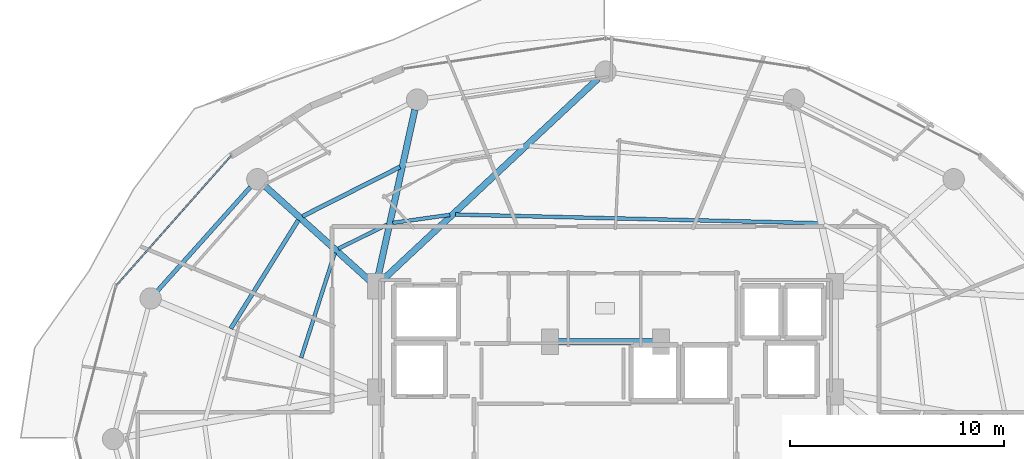
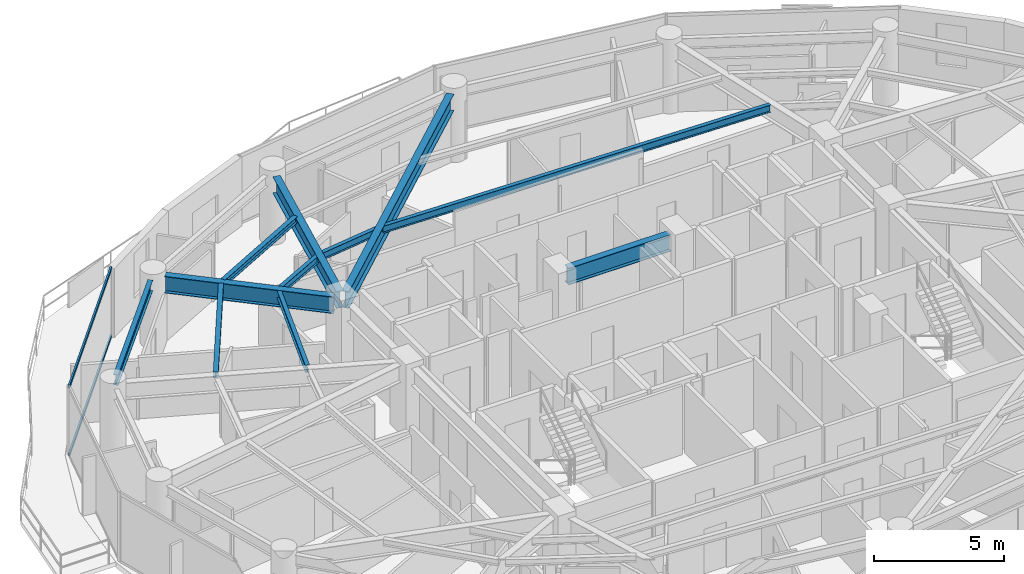
# One storey, part 10 of 29: 11 beams, 2 members, 1 element without a shape of its own.
"""IFC4 building model written with IfcOpenShell, lengths in metres."""

import ifcopenshell
import ifcopenshell.guid

model = None  # the IFC model being written
_history = None  # IfcOwnerHistory: only IFC2X3 demands one
_inside = {}  # id of a spatial element -> (the spatial element, [elements in it])
_under = {}  # id of a project, library or spatial element -> (it, [spatial elements below it])
_declared = {}  # id of a project -> (the project, [libraries it declares])
_typed = {}  # id of a type object -> (the type object, [elements of that type])
_made_of = {}  # id of a material, layer set ... -> (it, [elements and type objects made of it])


def new_model(schema):
    """Start an empty IFC model of exactly this schema.

    Asked for "IFC4X3", IfcOpenShell would pick the latest addendum, in which some entities
    have other attributes; the version numbers below select the first issue.
    IFC2X3 requires an IfcOwnerHistory on every rooted entity: one is made here for all.
    """
    global model, _history
    if schema == "IFC4X3":
        model = ifcopenshell.file(schema_version=(4, 3, 0, 0))
    else:
        model = ifcopenshell.file(schema=schema)
    _inside.clear()
    _under.clear()
    _declared.clear()
    _typed.clear()
    _made_of.clear()
    _history = None
    if model.schema == "IFC2X3":
        org = make("IfcOrganization", Name="unknown")
        user = make(
            "IfcPersonAndOrganization",
            ThePerson=make("IfcPerson", FamilyName="unknown"),
            TheOrganization=org,
        )
        app = make(
            "IfcApplication",
            ApplicationDeveloper=org,
            Version="unknown",
            ApplicationFullName="unknown",
            ApplicationIdentifier="unknown",
        )
        _history = make(
            "IfcOwnerHistory",
            OwningUser=user,
            OwningApplication=app,
            ChangeAction="ADDED",
            CreationDate=0,
        )
    return model


def make(cls, **values):
    """One entity of the class cls with the attributes given. An attribute that is None is left unset."""
    return model.create_entity(
        cls, **{name: value for name, value in values.items() if value is not None}
    )


def rooted(cls, **values):
    """An entity with a GlobalId (a new one), such as an element, a storey or a relation."""
    return make(cls, GlobalId=ifcopenshell.guid.new(), OwnerHistory=_history, **values)


def si_unit(unit_type, name, prefix=None):
    """IfcSIUnit, for example si_unit("LENGTHUNIT", "METRE", prefix="MILLI")."""
    return make("IfcSIUnit", UnitType=unit_type, Prefix=prefix, Name=name)


def assignment(units):
    """IfcUnitAssignment: the units of a project."""
    return None if units is None else make("IfcUnitAssignment", Units=units)


def point(xyz):
    """IfcCartesianPoint."""
    return None if xyz is None else make("IfcCartesianPoint", Coordinates=xyz)


def direction(xyz):
    """IfcDirection."""
    return None if xyz is None else make("IfcDirection", DirectionRatios=xyz)


def frame(location, z_axis=None, x_axis=None):
    """IfcAxis2Placement3D, a coordinate frame: its origin and axes. An axis left out is left unset."""
    return make(
        "IfcAxis2Placement3D",
        Location=point(location),
        Axis=direction(z_axis),
        RefDirection=direction(x_axis),
    )


def frame_2d(location, x_axis=None):
    """IfcAxis2Placement2D, a coordinate frame in the plane: its origin and x axis."""
    return make(
        "IfcAxis2Placement2D", Location=point(location), RefDirection=direction(x_axis)
    )


def origin():
    """The frame at (0, 0, 0) with its axes left unset."""
    return frame((0.0, 0.0, 0.0))


def origin_2d():
    """The frame at (0, 0) in the plane with its x axis left unset."""
    return frame_2d((0.0, 0.0))


def place(relative_to, where):
    """IfcLocalPlacement: puts the frame where relative to a parent placement (None: the world)."""
    return make(
        "IfcLocalPlacement", PlacementRelTo=relative_to, RelativePlacement=where
    )


def context(
    kind, dimensions, precision=None, world=None, true_north=None, identifier=None
):
    """IfcGeometricRepresentationContext, for example the 3D "Model" context."""
    return make(
        "IfcGeometricRepresentationContext",
        ContextIdentifier=identifier,
        ContextType=kind,
        CoordinateSpaceDimension=dimensions,
        Precision=precision,
        WorldCoordinateSystem=world,
        TrueNorth=true_north,
    )


def subcontext(parent, identifier, kind, view, scale=None):
    """IfcGeometricRepresentationSubContext, for example "Body" below "Model"."""
    return make(
        "IfcGeometricRepresentationSubContext",
        ContextIdentifier=identifier,
        ContextType=kind,
        ParentContext=parent,
        TargetScale=scale,
        TargetView=view,
    )


def project(units=None, contexts=None):
    """IfcProject with its units and contexts."""
    return rooted(
        "IfcProject",
        Name="project",
        RepresentationContexts=contexts,
        UnitsInContext=assignment(units),
    )


def spatial(cls, under=None, at=None, **own):
    """A site, building, storey or space (cls), placed at a placement, below another one or the project."""
    s = rooted(cls, ObjectPlacement=at, **own)
    if under is not None:
        _under.setdefault(under.id(), (under, []))[1].append(s)
    return s


def profile(cls, at=None, kind="AREA", **sizes):
    """A parametric profile (cls). Its sizes go by their IFC names, for example OverallWidth=200.0."""
    return make(cls, ProfileType=kind, Position=at, **sizes)


def hollow_rectangle(**sizes):
    """IfcRectangleHollowProfileDef."""
    return profile("IfcRectangleHollowProfileDef", **sizes)


def i_section(**sizes):
    """IfcIShapeProfileDef."""
    return profile("IfcIShapeProfileDef", **sizes)


def extrude(swept, where, along, depth):
    """IfcExtrudedAreaSolid: the profile swept, set in the frame where, extruded along a direction by depth."""
    return make(
        "IfcExtrudedAreaSolid",
        SweptArea=swept,
        Position=where,
        ExtrudedDirection=direction(along),
        Depth=depth,
    )


def shape(context_of_items, identifier, shape_type, items):
    """IfcShapeRepresentation: the items that make up one representation, for example the "Body"."""
    return make(
        "IfcShapeRepresentation",
        ContextOfItems=context_of_items,
        RepresentationIdentifier=identifier,
        RepresentationType=shape_type,
        Items=items,
    )


def material(Name=None, Category=None):
    """IfcMaterial."""
    return make("IfcMaterial", Name=Name, Category=Category)


def material_profile(
    of_material, cross_section, Name=None, Category=None, Priority=None
):
    """IfcMaterialProfile: a cross section and its material."""
    return make(
        "IfcMaterialProfile",
        Name=Name,
        Material=of_material,
        Profile=cross_section,
        Priority=Priority,
        Category=Category,
    )


def profile_set(profiles, Name=None, composite=None):
    """IfcMaterialProfileSet."""
    return make(
        "IfcMaterialProfileSet",
        Name=Name,
        MaterialProfiles=profiles,
        CompositeProfile=composite,
    )


def made_of(thing, what):
    """Note that an element or type object is made of a material, layer set ...; save() writes the relation."""
    if what is not None:
        _made_of.setdefault(what.id(), (what, []))[1].append(thing)
    return thing


def type_object(cls, material=None, **own):
    """A type object (cls), such as IfcWallType, which elements share."""
    return made_of(rooted(cls, **own), material)


def element(
    cls,
    number,
    at=None,
    inside=None,
    cuts=None,
    type_object=None,
    material=None,
    context=None,
    identifier="Body",
    shape_type=None,
    held_by="IfcProductDefinitionShape",
    body=None,
    shapes=None,
    **own,
):
    """One element of the class cls, such as IfcWall. Its Tag is "e" and its number.

    at: its placement. inside: the storey or other place that contains it. cuts: it is an
    opening in that element (IfcRelVoidsElement). A single representation is given by context,
    identifier, shape_type and body (its items); several are given by shapes. held_by: the class
    of the entity that holds the representations. save() writes the other relations.
    """
    e = rooted(cls, Tag="e%d" % number, ObjectPlacement=at, **own)
    if body is not None:
        shapes = [shape(context, identifier, shape_type, body)]
    if shapes is not None:
        e.Representation = make(held_by, Representations=shapes)
    if inside is not None:
        _inside.setdefault(inside.id(), (inside, []))[1].append(e)
    if cuts is not None:
        rooted(
            "IfcRelVoidsElement", RelatingBuildingElement=cuts, RelatedOpeningElement=e
        )
    if type_object is not None:
        _typed.setdefault(type_object.id(), (type_object, []))[1].append(e)
    return made_of(e, material)


def aggregate(whole, parts):
    """IfcRelAggregates: a whole, such as a stair, and the parts it consists of."""
    return rooted("IfcRelAggregates", RelatingObject=whole, RelatedObjects=parts)


def save(model, path):
    """Write the relations noted so far, then the file.

    IfcRelAggregates (storeys below a building ...), IfcRelContainedInSpatialStructure (elements
    in a storey), IfcRelDefinesByType, IfcRelAssociatesMaterial and IfcRelDeclares: one each for
    every whole, place, type object, material and project.
    """
    for whole, parts in _under.values():
        aggregate(whole, parts)
    for where, things in _inside.values():
        rooted(
            "IfcRelContainedInSpatialStructure",
            RelatedElements=things,
            RelatingStructure=where,
        )
    for kind, things in _typed.values():
        rooted("IfcRelDefinesByType", RelatedObjects=things, RelatingType=kind)
    for what, things in _made_of.values():
        rooted("IfcRelAssociatesMaterial", RelatedObjects=things, RelatingMaterial=what)
    for by, libraries in _declared.values():
        rooted("IfcRelDeclares", RelatingContext=by, RelatedDefinitions=libraries)
    model.write(path)


model = new_model("IFC4")

# Units and contexts
model_context = context("Model", 3, precision=1e-05, world=origin(), true_north=direction((0.0, 1.0)))
body_context = subcontext(model_context, "Body", "Model", "MODEL_VIEW")
ifc_project = project(units=[si_unit("LENGTHUNIT", "METRE"), si_unit("AREAUNIT", "SQUARE_METRE"), si_unit("VOLUMEUNIT", "CUBIC_METRE"), si_unit("PLANEANGLEUNIT", "RADIAN"), si_unit("MASSUNIT", "GRAM", prefix="KILO")], contexts=[model_context])

# Site, building, storey
site_placement = place(None, origin())
site = spatial("IfcSite", under=ifc_project, at=site_placement, CompositionType="ELEMENT")
building_placement = place(site_placement, origin())
building = spatial("IfcBuilding", under=site, at=building_placement, Name="Vorneva Point Tower", CompositionType="ELEMENT")
storey_placement = place(building_placement, frame((0.0, 0.0, 167.60009765625)))
storey = spatial("IfcBuildingStorey", under=building, at=storey_placement, Name="L45", CompositionType="ELEMENT", Elevation=167.60009765625)

# Beams
ifc_material_1 = material(Name="Steel S355", Category="steel")
ifc_material_profile_1 = material_profile(ifc_material_1, i_section(OverallWidth=0.300048828125, OverallDepth=0.7880859375, WebThickness=0.014404296875, FlangeThickness=0.02197265625, at=origin_2d()), Name="80Sh1")
ifc_profile_set_1 = profile_set([ifc_material_profile_1], Name="Steel S355")
beam_type_1 = type_object("IfcBeamType", Name="BM-GRD-80Sh1", PredefinedType="USERDEFINED", material=ifc_profile_set_1)
beam_1_placement = place(storey_placement, frame((37.6435546875, 42.86669921875, 2.845947265625), z_axis=(-0.730490907119, -0.682922422107, 0.0), x_axis=(0.682922422107, -0.730490907119, 0.0)))
element("IfcBeam", 1, at=beam_1_placement, inside=storey, type_object=beam_type_1, Name="L45 Radial Primary Girder 05", ObjectType="GIRDER", PredefinedType="USERDEFINED", context=body_context, shape_type="SweptSolid", body=[
    extrude(i_section(OverallWidth=0.300048828125, OverallDepth=0.7880859375, WebThickness=0.014404296875, FlangeThickness=0.02197265625, at=origin_2d()), origin(), (0.0, 0.0, 1.0), 13.88818359375),
])
beam_2_placement = place(storey_placement, frame((29.073974609375, 41.414306640625, 2.845947265625), z_axis=(-0.215520500859, -0.976499315775, 0.0), x_axis=(0.976499315775, -0.215520500859, 0.0)))
element("IfcBeam", 2, at=beam_2_placement, inside=storey, type_object=beam_type_1, Name="L45 Radial Primary Girder 06", ObjectType="GIRDER", PredefinedType="USERDEFINED", context=body_context, shape_type="SweptSolid", body=[
    extrude(i_section(OverallWidth=0.300048828125, OverallDepth=0.7880859375, WebThickness=0.014404296875, FlangeThickness=0.02197265625, at=origin_2d()), origin(), (0.0, 0.0, 1.0), 8.123291015625),
])
beam_3_placement = place(storey_placement, frame((22.063232421875, 37.835205078125, 2.845947265625), z_axis=(0.742084379637, -0.670306477292, 0.0), x_axis=(0.670306477292, 0.742084379637, 0.0)))
element("IfcBeam", 3, at=beam_3_placement, inside=storey, type_object=beam_type_1, Name="L45 Radial Primary Girder 07", ObjectType="GIRDER", PredefinedType="USERDEFINED", context=body_context, shape_type="SweptSolid", body=[
    extrude(i_section(OverallWidth=0.300048828125, OverallDepth=0.7880859375, WebThickness=0.014404296875, FlangeThickness=0.02197265625, at=origin_2d()), origin(), (0.0, 0.0, 1.0), 6.649658203125),
])
beam_4_placement = place(storey_placement, frame((35.719970703125, 30.550048828125, 2.845947265625), z_axis=(1.0, 0.0, 0.0), x_axis=(0.0, 1.0, 0.0)))
element("IfcBeam", 4, at=beam_4_placement, inside=storey, type_object=beam_type_1, Name="L45 Core Tie Girder CT8", ObjectType="GIRDER", PredefinedType="USERDEFINED", context=body_context, shape_type="SweptSolid", body=[
    extrude(i_section(OverallWidth=0.300048828125, OverallDepth=0.7880859375, WebThickness=0.014404296875, FlangeThickness=0.02197265625, at=origin_2d()), origin(), (0.0, 0.0, 1.0), 4.56005859375),
])
ifc_material_profile_2 = material_profile(ifc_material_1, i_section(OverallWidth=0.199951171875, OverallDepth=0.291015625, WebThickness=0.008056640625, FlangeThickness=0.010986328125, at=origin_2d()), Name="30Sh1")
ifc_profile_set_2 = profile_set([ifc_material_profile_2], Name="Steel S355")
beam_type_2 = type_object("IfcBeamType", Name="BM-SEC-30Sh1", PredefinedType="BEAM", material=ifc_profile_set_2)
beam_5_placement = place(storey_placement, frame((28.373046875, 38.734130859375, 3.094482421875), z_axis=(-0.892189333363, -0.451661591717, 0.0), x_axis=(0.451661591717, -0.892189333363, 0.0)))
element("IfcBeam", 5, at=beam_5_placement, inside=storey, type_object=beam_type_2, Name="L45 Secondary Floor Beam 1.06", PredefinedType="BEAM", context=body_context, shape_type="SweptSolid", body=[
    extrude(i_section(OverallWidth=0.199951171875, OverallDepth=0.291015625, WebThickness=0.008056640625, FlangeThickness=0.010986328125, at=origin_2d()), origin(), (0.0, 0.0, 1.0), 5.109130859375),
])
beam_6_placement = place(storey_placement, frame((23.61865234375, 36.2470703125, 3.094482421875), z_axis=(-0.52882428102, -0.848731335467, 0.0), x_axis=(0.848731335467, -0.52882428102, 0.0)))
element("IfcBeam", 6, at=beam_6_placement, inside=storey, type_object=beam_type_2, Name="L45 Secondary Floor Beam 1.07", PredefinedType="BEAM", context=body_context, shape_type="SweptSolid", body=[
    extrude(i_section(OverallWidth=0.199951171875, OverallDepth=0.291015625, WebThickness=0.008056640625, FlangeThickness=0.010986328125, at=origin_2d()), origin(), (0.0, 0.0, 1.0), 5.98095703125),
])
ifc_material_profile_3 = material_profile(ifc_material_1, i_section(OverallWidth=0.174072265625, OverallDepth=0.345947265625, WebThickness=0.006103515625, FlangeThickness=0.009033203125, at=origin_2d()), Name="35B1")
ifc_profile_set_3 = profile_set([ifc_material_profile_3], Name="Steel S355")
beam_type_3 = type_object("IfcBeamType", Name="BM-SEC-35B1", PredefinedType="BEAM", material=ifc_profile_set_3)
beam_7_placement = place(storey_placement, frame((47.9609375, 36.102783203125, 3.06689453125), z_axis=(-0.99971415121, 0.023908489487, 0.0), x_axis=(-0.023908489487, -0.99971415121, 0.0)))
element("IfcBeam", 7, at=beam_7_placement, inside=storey, type_object=beam_type_3, Name="L45 Secondary Floor Beam 2.04", PredefinedType="BEAM", context=body_context, shape_type="SweptSolid", body=[
    extrude(i_section(OverallWidth=0.174072265625, OverallDepth=0.345947265625, WebThickness=0.006103515625, FlangeThickness=0.009033203125, at=origin_2d()), origin(), (0.0, 0.0, 1.0), 16.981689453125),
])
beam_8_placement = place(storey_placement, frame((30.709716796875, 36.492919921875, 3.06689453125), z_axis=(-0.990345473583, -0.138621221154, 0.0), x_axis=(0.138621221154, -0.990345473583, 0.0)))
element("IfcBeam", 8, at=beam_8_placement, inside=storey, type_object=beam_type_3, Name="L45 Secondary Floor Beam 2.05", PredefinedType="BEAM", context=body_context, shape_type="SweptSolid", body=[
    extrude(i_section(OverallWidth=0.174072265625, OverallDepth=0.345947265625, WebThickness=0.006103515625, FlangeThickness=0.009033203125, at=origin_2d()), origin(), (0.0, 0.0, 1.0), 2.6982421875),
])
beam_9_placement = place(storey_placement, frame((27.77734375, 36.03857421875, 3.06689453125), z_axis=(-0.896525372152, -0.442992389425, 0.0), x_axis=(0.442992389425, -0.896525372152, 0.0)))
element("IfcBeam", 9, at=beam_9_placement, inside=storey, type_object=beam_type_3, Name="L45 Secondary Floor Beam 2.06", PredefinedType="BEAM", context=body_context, shape_type="SweptSolid", body=[
    extrude(i_section(OverallWidth=0.174072265625, OverallDepth=0.345947265625, WebThickness=0.006103515625, FlangeThickness=0.009033203125, at=origin_2d()), origin(), (0.0, 0.0, 1.0), 2.5478515625),
])
beam_10_placement = place(storey_placement, frame((25.3271484375, 34.71728515625, 3.06689453125), z_axis=(-0.305506866133, -0.952189873263, 0.0), x_axis=(0.952189873263, -0.305506866133, 0.0)))
element("IfcBeam", 10, at=beam_10_placement, inside=storey, type_object=beam_type_3, Name="L45 Secondary Floor Beam 2.07", PredefinedType="BEAM", context=body_context, shape_type="SweptSolid", body=[
    extrude(i_section(OverallWidth=0.174072265625, OverallDepth=0.345947265625, WebThickness=0.006103515625, FlangeThickness=0.009033203125, at=origin_2d()), origin(), (0.0, 0.0, 1.0), 5.160888671875),
])
ifc_material_profile_4 = material_profile(ifc_material_1, i_section(OverallWidth=0.199951171875, OverallDepth=0.491943359375, WebThickness=0.0087890625, FlangeThickness=0.011962890625, at=origin_2d()), Name="50B1")
ifc_profile_set_4 = profile_set([ifc_material_profile_4], Name="Steel S355")
beam_type_4 = type_object("IfcBeamType", Name="BM-SPN-50B1", PredefinedType="SPANDREL", material=ifc_profile_set_4)
beam_11_placement = place(storey_placement, frame((21.377685546875, 37.80078125, 2.993896484375), z_axis=(-0.667111118975, -0.74495822362, 0.0), x_axis=(0.74495822362, -0.667111118975, 0.0)))
element("IfcBeam", 11, at=beam_11_placement, inside=storey, type_object=beam_type_4, Name="L45 Perimeter Spandrel Ring Beam 07", PredefinedType="SPANDREL", context=body_context, shape_type="SweptSolid", body=[
    extrude(i_section(OverallWidth=0.199951171875, OverallDepth=0.491943359375, WebThickness=0.0087890625, FlangeThickness=0.011962890625, at=origin_2d()), origin(), (0.0, 0.0, 1.0), 6.52001953125),
])

# Curtain wall, members
ifc_material_2 = material(Name="Pale anodised aluminium", Category="aluminium")
curtain_wall_type = type_object("IfcCurtainWallType", Name="CW-RES-SYS", PredefinedType="NOTDEFINED", material=ifc_material_2)
curtain_wall_placement = place(storey_placement, origin())
curtain_wall = element("IfcCurtainWall", 12, at=curtain_wall_placement, inside=storey, type_object=curtain_wall_type, Name="L45 Unitised Curtain Wall CW-L45-R03", PredefinedType="NOTDEFINED")
ifc_material_profile_5 = material_profile(ifc_material_2, hollow_rectangle(XDim=0.074951171875, YDim=0.14990234375, WallThickness=0.00390625, at=origin_2d()), Name="AL-TRN 150x75x4")
ifc_profile_set_5 = profile_set([ifc_material_profile_5], Name="Pale anodised aluminium")
member_type = type_object("IfcMemberType", Name="CW-TRN-150", PredefinedType="USERDEFINED", material=ifc_profile_set_5)
member_1_placement = place(storey_placement, frame((20.4638671875, 39.25830078125, 0.02001953125), z_axis=(-0.662218216609, -0.749311039283, 0.0), x_axis=(0.749311039283, -0.662218216609, 0.0)))
member_1 = element("IfcMember", 13, at=member_1_placement, type_object=member_type, Name="CW-L45-R03 Transom 01.1", ObjectType="TRANSOM", PredefinedType="USERDEFINED", context=body_context, shape_type="SweptSolid", body=[
    extrude(hollow_rectangle(XDim=0.074951171875, YDim=0.14990234375, WallThickness=0.00390625, at=origin_2d()), origin(), (0.0, 0.0, 1.0), 8.1181640625),
])
member_2_placement = place(storey_placement, frame((20.4638671875, 39.25830078125, 3.219970703125), z_axis=(-0.662218216609, -0.749311039283, 0.0), x_axis=(0.749311039283, -0.662218216609, 0.0)))
member_2 = element("IfcMember", 14, at=member_2_placement, type_object=member_type, Name="CW-L45-R03 Transom 01.2", ObjectType="TRANSOM", PredefinedType="USERDEFINED", context=body_context, shape_type="SweptSolid", body=[
    extrude(hollow_rectangle(XDim=0.074951171875, YDim=0.14990234375, WallThickness=0.00390625, at=origin_2d()), origin(), (0.0, 0.0, 1.0), 8.1181640625),
])
aggregate(curtain_wall, [member_1, member_2])

save(model, "model.ifc")
